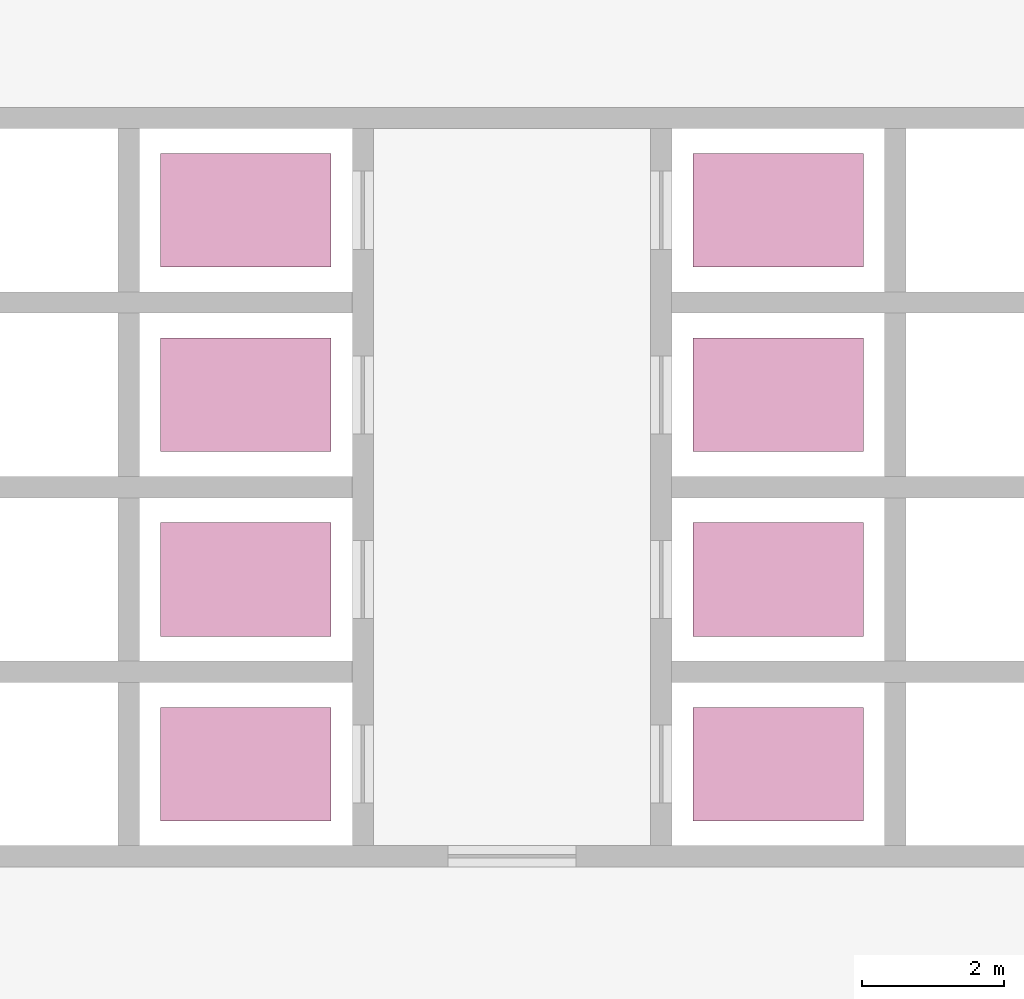
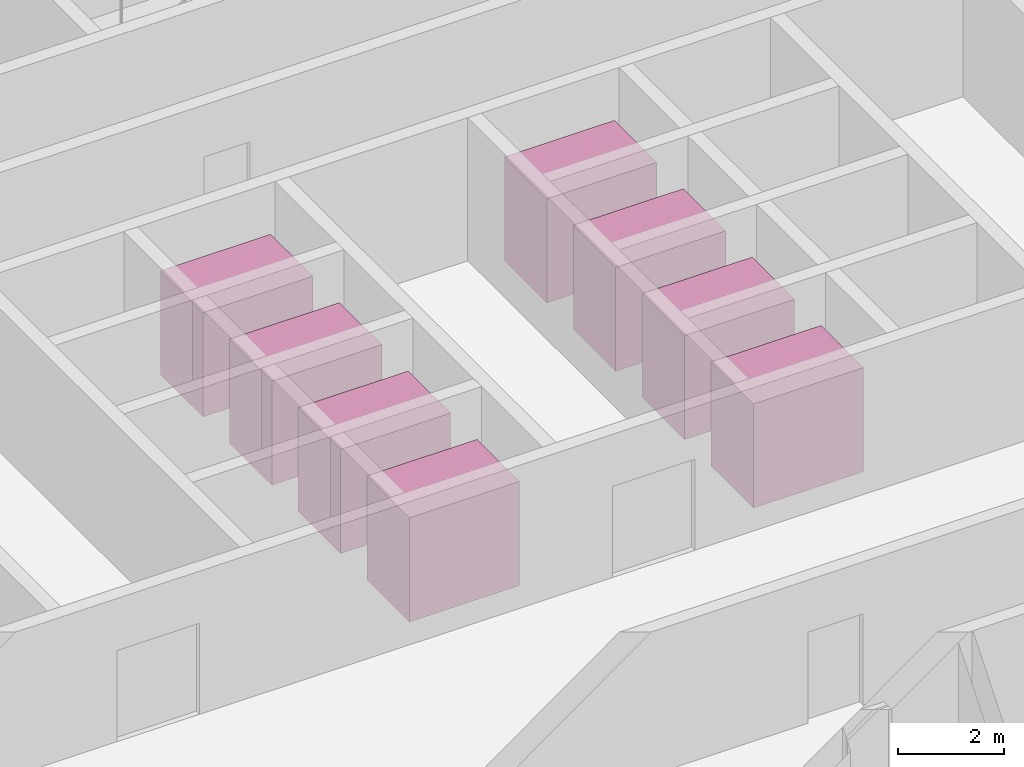
# One storey, part 18 of 18: 8 transport elements.
"""IFC4 building model written with IfcOpenShell, lengths in metres."""

from ifc_helpers import new_model, si_unit, direction, frame, origin, origin_2d, place, context, subcontext, project, spatial, rectangle, extrude, material, type_object, element, save


model = new_model("IFC4")

# Units and contexts
model_context = context("Model", 3, precision=1e-05, world=origin(), true_north=direction((0.0, 1.0)))
body_context = subcontext(model_context, "Body", "Model", "MODEL_VIEW")
ifc_project = project(units=[si_unit("LENGTHUNIT", "METRE"), si_unit("AREAUNIT", "SQUARE_METRE"), si_unit("VOLUMEUNIT", "CUBIC_METRE"), si_unit("PLANEANGLEUNIT", "RADIAN"), si_unit("MASSUNIT", "GRAM", prefix="KILO")], contexts=[model_context])

# Site, building, storey
site_placement = place(None, origin())
site = spatial("IfcSite", under=ifc_project, at=site_placement, CompositionType="ELEMENT")
building_placement = place(site_placement, origin())
building = spatial("IfcBuilding", under=site, at=building_placement, Name="Hunhe Ridgeline Campus", CompositionType="ELEMENT")
storey_placement = place(building_placement, frame((0.0, 0.0, 182.800048828125)))
storey = spatial("IfcBuildingStorey", under=building, at=storey_placement, Name="L46", CompositionType="ELEMENT", Elevation=182.800048828125)

# Transport elements
ifc_material = material(Name="Stainless steel car", Category="steel")
transport_element_type = type_object("IfcTransportElementType", Name="Passenger lift car 1600x2400", PredefinedType="ELEVATOR", material=ifc_material)
for number, where, z_axis, x_axis, name in (
    (1, (13.199951171875, 78.699951171875, 0.0), (0.0, 0.0, 1.0), (1.0, 0.0, 0.0), "Lift HR1 car"),
    (2, (13.199951171875, 81.300048828125, 0.0), (0.0, 0.0, 1.0), (1.0, 0.0, 0.0), "Lift HR2 car"),
    (3, (13.199951171875, 83.89990234375, 0.0), (0.0, 0.0, 1.0), (1.0, 0.0, 0.0), "Lift HR3 car"),
    (4, (13.199951171875, 86.5, 0.0), (0.0, 0.0, 1.0), (1.0, 0.0, 0.0), "Lift HR4 car"),
    (5, (20.699951171875, 78.699951171875, 0.0), (0.0, 0.0, 1.0), (1.0, 0.0, 0.0), "Lift HR5 car"),
    (6, (20.699951171875, 81.300048828125, 0.0), (0.0, 0.0, 1.0), (1.0, 0.0, 0.0), "Lift HR6 car"),
    (7, (20.699951171875, 83.89990234375, 0.0), (0.0, 0.0, 1.0), (1.0, 0.0, 0.0), "Lift HR7 car"),
    (8, (20.699951171875, 86.5, 0.0), (0.0, 0.0, 1.0), (1.0, 0.0, 0.0), "Lift HR8 car"),
):
    element("IfcTransportElement", number, at=place(storey_placement, frame(where, z_axis=z_axis, x_axis=x_axis)), inside=storey, type_object=transport_element_type, Name=name, PredefinedType="ELEVATOR", context=body_context, shape_type="SweptSolid", body=[
        extrude(rectangle(XDim=2.39990234375, YDim=1.60009765625, at=origin_2d()), origin(), (0.0, 0.0, 1.0), 2.39990234375),
    ])

save(model, "model.ifc")
